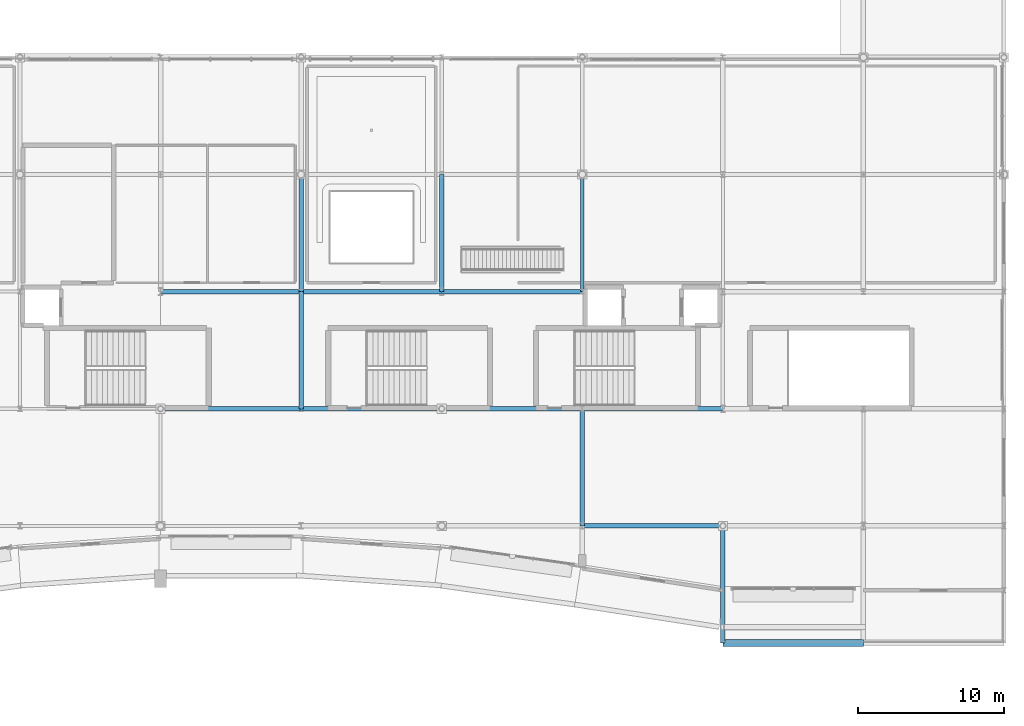
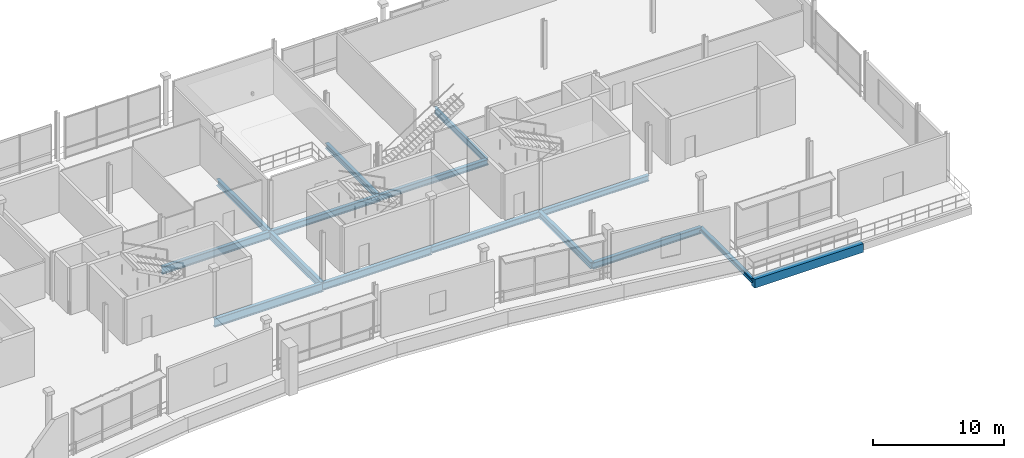
# One storey, part 22 of 59: 15 beams.
"""IFC4 building model written with IfcOpenShell, lengths in metres."""

from ifc_helpers import new_model, si_unit, direction, frame, origin, origin_2d, place, context, subcontext, project, spatial, rectangle, i_section, extrude, material, material_profile, profile_set, type_object, element, save


model = new_model("IFC4")

# Units and contexts
model_context = context("Model", 3, precision=1e-05, world=origin(), true_north=direction((0.0, 1.0)))
body_context = subcontext(model_context, "Body", "Model", "MODEL_VIEW")
ifc_project = project(units=[si_unit("LENGTHUNIT", "METRE"), si_unit("AREAUNIT", "SQUARE_METRE"), si_unit("VOLUMEUNIT", "CUBIC_METRE"), si_unit("PLANEANGLEUNIT", "RADIAN"), si_unit("MASSUNIT", "GRAM", prefix="KILO")], contexts=[model_context])

# Site, building, storey
site_placement = place(None, origin())
site = spatial("IfcSite", under=ifc_project, at=site_placement, CompositionType="ELEMENT")
building_placement = place(site_placement, origin())
building = spatial("IfcBuilding", under=site, at=building_placement, Name="Danafjord Basin Convention Centre", CompositionType="ELEMENT")
storey_placement = place(building_placement, frame((0.0, 0.0, 15.89990234375)))
storey = spatial("IfcBuildingStorey", under=building, at=storey_placement, Name="L03", CompositionType="ELEMENT", Elevation=15.89990234375)

# Beams
ifc_material_1 = material(Name="Steel S355", Category="steel")
ifc_material_profile_1 = material_profile(ifc_material_1, i_section(OverallWidth=0.300048828125, OverallDepth=0.5, WebThickness=0.014404296875, FlangeThickness=0.028076171875, FilletRadius=0.027099609375, at=origin_2d()), Name="HEB 500")
ifc_profile_set_1 = profile_set([ifc_material_profile_1], Name="Steel S355")
beam_type_1 = type_object("IfcBeamType", Name="BEAM-BM-HEB500", PredefinedType="BEAM", material=ifc_profile_set_1)
beam_1_placement = place(storey_placement, frame((76.800048828125, 24.0, -0.47998046875), z_axis=(0.0, 1.0, 0.0), x_axis=(-1.0, 0.0, 0.0)))
element("IfcBeam", 1, at=beam_1_placement, inside=storey, type_object=beam_type_1, Name="L03 transverse girder BM-HEB500", PredefinedType="BEAM", context=body_context, shape_type="SweptSolid", body=[
    extrude(i_section(OverallWidth=0.300048828125, OverallDepth=0.5, WebThickness=0.014404296875, FlangeThickness=0.028076171875, FilletRadius=0.027099609375, at=origin_2d()), origin(), (0.0, 0.0, 1.0), 8.0),
])
ifc_material_profile_2 = material_profile(ifc_material_1, i_section(OverallWidth=0.300048828125, OverallDepth=0.550048828125, WebThickness=0.014892578125, FlangeThickness=0.029052734375, FilletRadius=0.027099609375, at=origin_2d()), Name="HEB 550")
ifc_profile_set_2 = profile_set([ifc_material_profile_2], Name="Steel S355")
beam_type_2 = type_object("IfcBeamType", Name="BEAM-BM-HEB550", PredefinedType="BEAM", material=ifc_profile_set_2)
beam_2_placement = place(storey_placement, frame((76.800048828125, 24.0, -0.5048828125), z_axis=(1.0, 0.0, 0.0), x_axis=(0.0, 1.0, 0.0)))
element("IfcBeam", 2, at=beam_2_placement, inside=storey, type_object=beam_type_2, Name="L03 girder BM-HEB550", PredefinedType="BEAM", context=body_context, shape_type="SweptSolid", body=[
    extrude(i_section(OverallWidth=0.300048828125, OverallDepth=0.550048828125, WebThickness=0.014892578125, FlangeThickness=0.029052734375, FilletRadius=0.027099609375, at=origin_2d()), origin(), (0.0, 0.0, 1.0), 9.599853515625),
])
beam_3_placement = place(storey_placement, frame((86.39990234375, 16.0, -0.5048828125), z_axis=(1.0, 0.0, 0.0), x_axis=(0.0, 1.0, 0.0)))
element("IfcBeam", 3, at=beam_3_placement, inside=storey, type_object=beam_type_2, Name="L03 girder BM-HEB550", PredefinedType="BEAM", context=body_context, shape_type="SweptSolid", body=[
    extrude(i_section(OverallWidth=0.300048828125, OverallDepth=0.550048828125, WebThickness=0.014892578125, FlangeThickness=0.029052734375, FilletRadius=0.027099609375, at=origin_2d()), origin(), (0.0, 0.0, 1.0), 9.60009765625),
])
ifc_material_profile_3 = material_profile(ifc_material_1, i_section(OverallWidth=0.300048828125, OverallDepth=0.60009765625, WebThickness=0.015380859375, FlangeThickness=0.030029296875, FilletRadius=0.027099609375, at=origin_2d()), Name="HEB 600")
ifc_profile_set_3 = profile_set([ifc_material_profile_3], Name="Steel S355")
beam_type_3 = type_object("IfcBeamType", Name="BEAM-BM-HEB600", PredefinedType="BEAM", material=ifc_profile_set_3)
beam_4_placement = place(storey_placement, frame((67.199951171875, 24.0, -0.52978515625), z_axis=(1.0, 0.0, 0.0), x_axis=(0.0, 1.0, 0.0)))
element("IfcBeam", 4, at=beam_4_placement, inside=storey, type_object=beam_type_3, Name="L03 girder BM-HEB600", PredefinedType="BEAM", context=body_context, shape_type="SweptSolid", body=[
    extrude(i_section(OverallWidth=0.300048828125, OverallDepth=0.60009765625, WebThickness=0.015380859375, FlangeThickness=0.030029296875, FilletRadius=0.027099609375, at=origin_2d()), origin(), (0.0, 0.0, 1.0), 9.60009765625),
])
beam_5_placement = place(storey_placement, frame((76.800048828125, 16.0, -0.52978515625), z_axis=(1.0, 0.0, 0.0), x_axis=(0.0, 1.0, 0.0)))
element("IfcBeam", 5, at=beam_5_placement, inside=storey, type_object=beam_type_3, Name="L03 girder BM-HEB600", PredefinedType="BEAM", context=body_context, shape_type="SweptSolid", body=[
    extrude(i_section(OverallWidth=0.300048828125, OverallDepth=0.60009765625, WebThickness=0.015380859375, FlangeThickness=0.030029296875, FilletRadius=0.027099609375, at=origin_2d()), origin(), (0.0, 0.0, 1.0), 9.599853515625),
])
beam_6_placement = place(storey_placement, frame((86.39990234375, 8.0, -0.52978515625), z_axis=(1.0, 0.0, 0.0), x_axis=(0.0, 1.0, 0.0)))
element("IfcBeam", 6, at=beam_6_placement, inside=storey, type_object=beam_type_3, Name="L03 girder BM-HEB600", PredefinedType="BEAM", context=body_context, shape_type="SweptSolid", body=[
    extrude(i_section(OverallWidth=0.300048828125, OverallDepth=0.60009765625, WebThickness=0.015380859375, FlangeThickness=0.030029296875, FilletRadius=0.027099609375, at=origin_2d()), origin(), (0.0, 0.0, 1.0), 9.60009765625),
])
for number, where, z_axis, x_axis, name in (
    (7, (67.199951171875, 24.0, -0.52978515625), (0.0, 1.0, 0.0), (-1.0, 0.0, 0.0), "L03 transverse girder BM-HEB600"),
    (8, (86.39990234375, 8.0, -0.52978515625), (0.0, 1.0, 0.0), (-1.0, 0.0, 0.0), "L03 transverse girder BM-HEB600"),
):
    element("IfcBeam", number, at=place(storey_placement, frame(where, z_axis=z_axis, x_axis=x_axis)), inside=storey, type_object=beam_type_3, Name=name, PredefinedType="BEAM", context=body_context, shape_type="SweptSolid", body=[
        extrude(i_section(OverallWidth=0.300048828125, OverallDepth=0.60009765625, WebThickness=0.015380859375, FlangeThickness=0.030029296875, FilletRadius=0.027099609375, at=origin_2d()), origin(), (0.0, 0.0, 1.0), 8.0),
    ])
ifc_material_profile_4 = material_profile(ifc_material_1, i_section(OverallWidth=0.300048828125, OverallDepth=0.699951171875, WebThickness=0.01708984375, FlangeThickness=0.031982421875, FilletRadius=0.027099609375, at=origin_2d()), Name="HEB 700")
ifc_profile_set_4 = profile_set([ifc_material_profile_4], Name="Steel S355")
beam_type_4 = type_object("IfcBeamType", Name="BEAM-BM-HEB700", PredefinedType="BEAM", material=ifc_profile_set_4)
beam_7_placement = place(storey_placement, frame((57.60009765625, 24.0, -0.579833984375), z_axis=(1.0, 0.0, 0.0), x_axis=(0.0, 1.0, 0.0)))
element("IfcBeam", 9, at=beam_7_placement, inside=storey, type_object=beam_type_4, Name="L03 girder BM-HEB700", PredefinedType="BEAM", context=body_context, shape_type="SweptSolid", body=[
    extrude(i_section(OverallWidth=0.300048828125, OverallDepth=0.699951171875, WebThickness=0.01708984375, FlangeThickness=0.031982421875, FilletRadius=0.027099609375, at=origin_2d()), origin(), (0.0, 0.0, 1.0), 9.599853515625),
])
beam_8_placement = place(storey_placement, frame((67.199951171875, 16.0, -0.579833984375), z_axis=(1.0, 0.0, 0.0), x_axis=(0.0, 1.0, 0.0)))
element("IfcBeam", 10, at=beam_8_placement, inside=storey, type_object=beam_type_4, Name="L03 girder BM-HEB700", PredefinedType="BEAM", context=body_context, shape_type="SweptSolid", body=[
    extrude(i_section(OverallWidth=0.300048828125, OverallDepth=0.699951171875, WebThickness=0.01708984375, FlangeThickness=0.031982421875, FilletRadius=0.027099609375, at=origin_2d()), origin(), (0.0, 0.0, 1.0), 9.60009765625),
])
beam_9_placement = place(storey_placement, frame((67.199951171875, 16.0, -0.579833984375), z_axis=(0.0, 1.0, 0.0), x_axis=(-1.0, 0.0, 0.0)))
element("IfcBeam", 11, at=beam_9_placement, inside=storey, type_object=beam_type_4, Name="L03 transverse girder BM-HEB700", PredefinedType="BEAM", context=body_context, shape_type="SweptSolid", body=[
    extrude(i_section(OverallWidth=0.300048828125, OverallDepth=0.699951171875, WebThickness=0.01708984375, FlangeThickness=0.031982421875, FilletRadius=0.027099609375, at=origin_2d()), origin(), (0.0, 0.0, 1.0), 8.0),
])
ifc_material_profile_5 = material_profile(ifc_material_1, i_section(OverallWidth=0.300048828125, OverallDepth=0.800048828125, WebThickness=0.017578125, FlangeThickness=0.032958984375, FilletRadius=0.030029296875, at=origin_2d()), Name="HEB 800")
ifc_profile_set_5 = profile_set([ifc_material_profile_5], Name="Steel S355")
beam_type_5 = type_object("IfcBeamType", Name="BEAM-BM-HEB800", PredefinedType="BEAM", material=ifc_profile_set_5)
beam_10_placement = place(storey_placement, frame((57.60009765625, 16.0, -0.6298828125), z_axis=(1.0, 0.0, 0.0), x_axis=(0.0, 1.0, 0.0)))
element("IfcBeam", 12, at=beam_10_placement, inside=storey, type_object=beam_type_5, Name="L03 girder BM-HEB800", PredefinedType="BEAM", context=body_context, shape_type="SweptSolid", body=[
    extrude(i_section(OverallWidth=0.300048828125, OverallDepth=0.800048828125, WebThickness=0.017578125, FlangeThickness=0.032958984375, FilletRadius=0.030029296875, at=origin_2d()), origin(), (0.0, 0.0, 1.0), 9.599853515625),
])
ifc_material_profile_6 = material_profile(ifc_material_1, i_section(OverallWidth=0.219970703125, OverallDepth=0.60009765625, WebThickness=0.011962890625, FlangeThickness=0.01904296875, FilletRadius=0.02392578125, at=origin_2d()), Name="IPE 600")
ifc_profile_set_6 = profile_set([ifc_material_profile_6], Name="Steel S355")
beam_type_6 = type_object("IfcBeamType", Name="BEAM-BM-IPE600", PredefinedType="BEAM", material=ifc_profile_set_6)
beam_11_placement = place(storey_placement, frame((86.39990234375, 24.0, -0.52978515625), z_axis=(0.0, 1.0, 0.0), x_axis=(-1.0, 0.0, 0.0)))
element("IfcBeam", 13, at=beam_11_placement, inside=storey, type_object=beam_type_6, Name="L03 transverse girder BM-IPE600", PredefinedType="BEAM", context=body_context, shape_type="SweptSolid", body=[
    extrude(i_section(OverallWidth=0.219970703125, OverallDepth=0.60009765625, WebThickness=0.011962890625, FlangeThickness=0.01904296875, FilletRadius=0.02392578125, at=origin_2d()), origin(), (0.0, 0.0, 1.0), 8.0),
])
ifc_material_profile_7 = material_profile(ifc_material_1, i_section(OverallWidth=0.300048828125, OverallDepth=0.39990234375, WebThickness=0.013427734375, FlangeThickness=0.02392578125, FilletRadius=0.027099609375, at=origin_2d()), Name="HEB 400")
ifc_profile_set_7 = profile_set([ifc_material_profile_7], Name="Steel S355")
beam_type_7 = type_object("IfcBeamType", Name="BEAM-SP-HEB400", PredefinedType="SPANDREL", material=ifc_profile_set_7)
beam_12_placement = place(storey_placement, frame((96.0, 0.0, -0.429931640625), z_axis=(0.0, 1.0, 0.0), x_axis=(-1.0, 0.0, 0.0)))
element("IfcBeam", 14, at=beam_12_placement, inside=storey, type_object=beam_type_7, Name="L03 transverse girder SP-HEB400", PredefinedType="SPANDREL", context=body_context, shape_type="SweptSolid", body=[
    extrude(i_section(OverallWidth=0.300048828125, OverallDepth=0.39990234375, WebThickness=0.013427734375, FlangeThickness=0.02392578125, FilletRadius=0.027099609375, at=origin_2d()), origin(), (0.0, 0.0, 1.0), 8.0),
])
ifc_material_2 = material(Name="Precast concrete C45/55", Category="concrete")
ifc_material_profile_8 = material_profile(ifc_material_2, rectangle(XDim=0.5, YDim=0.800048828125, at=origin_2d()), Name="PCB 500x800")
ifc_profile_set_8 = profile_set([ifc_material_profile_8], Name="Precast concrete C45/55")
beam_type_8 = type_object("IfcBeamType", Name="BEAM-SP-PCB800", PredefinedType="SPANDREL", material=ifc_profile_set_8)
beam_13_placement = place(storey_placement, frame((96.0, 0.0, -0.6259765625), z_axis=(1.0, 0.0, 0.0), x_axis=(0.0, 1.0, 0.0)))
element("IfcBeam", 15, at=beam_13_placement, inside=storey, type_object=beam_type_8, Name="L03 girder SP-PCB800", PredefinedType="SPANDREL", context=body_context, shape_type="SweptSolid", body=[
    extrude(rectangle(XDim=0.5, YDim=0.800048828125, at=origin_2d()), origin(), (0.0, 0.0, 1.0), 9.60009765625),
])

save(model, "model.ifc")
